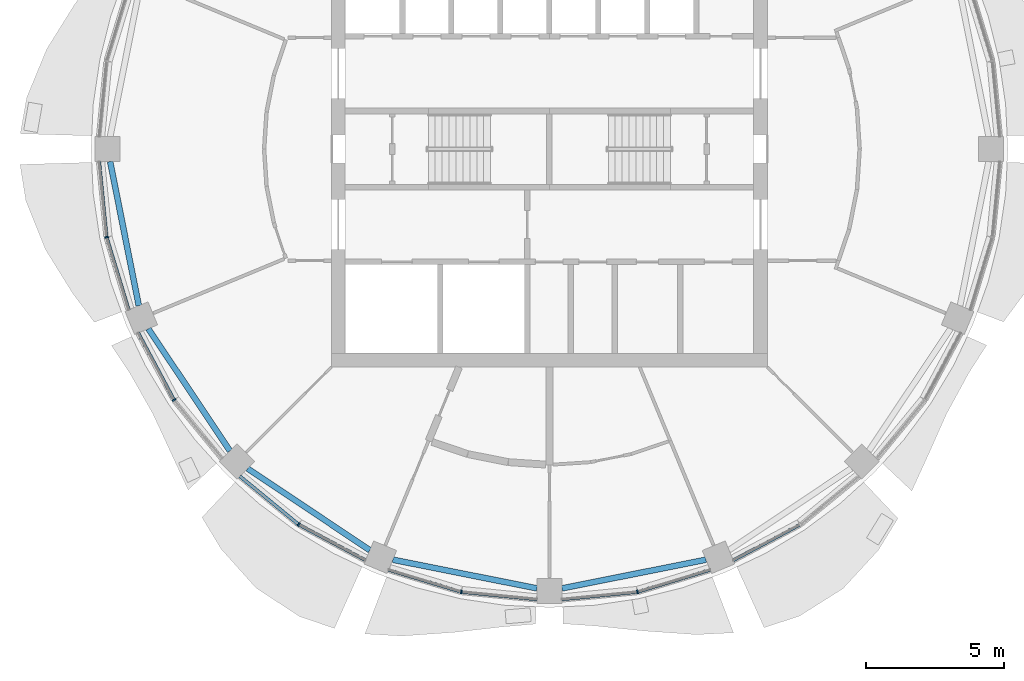
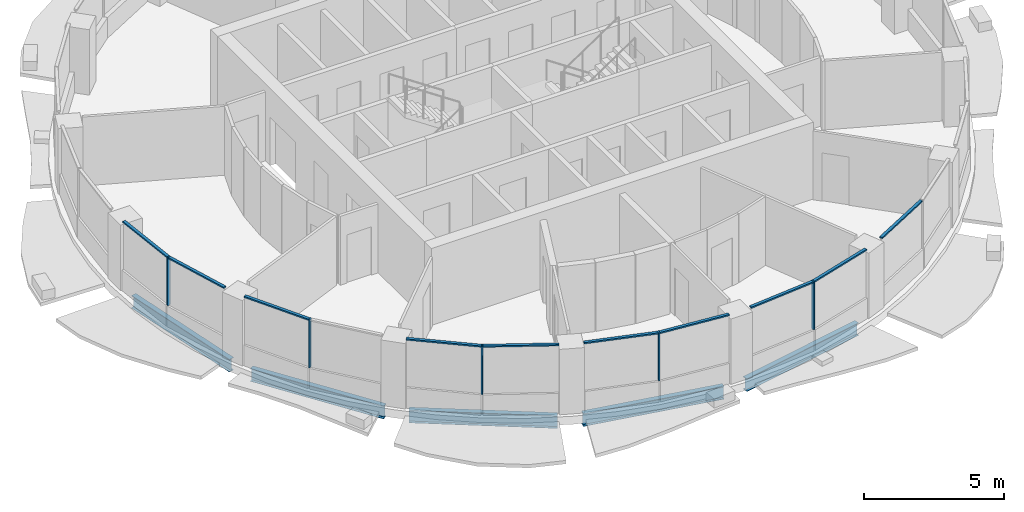
# One storey, part 2 of 15: 15 members, 5 beams, 6 elements without a shape of their own.
"""IFC4 building model written with IfcOpenShell, lengths in metres."""

from ifc_helpers import new_model, si_unit, direction, frame, origin, origin_2d, place, context, subcontext, project, spatial, rectangle, i_section, extrude, material, material_profile, profile_set, type_object, element, aggregate, save


model = new_model("IFC4")

# Units and contexts
model_context = context("Model", 3, precision=1e-05, world=origin(), true_north=direction((0.0, 1.0)))
body_context = subcontext(model_context, "Body", "Model", "MODEL_VIEW")
ifc_project = project(units=[si_unit("LENGTHUNIT", "METRE"), si_unit("AREAUNIT", "SQUARE_METRE"), si_unit("VOLUMEUNIT", "CUBIC_METRE"), si_unit("PLANEANGLEUNIT", "RADIAN"), si_unit("MASSUNIT", "GRAM", prefix="KILO")], contexts=[model_context])

# Site, building, storey
site_placement = place(None, origin())
site = spatial("IfcSite", under=ifc_project, at=site_placement, CompositionType="ELEMENT")
building_placement = place(site_placement, origin())
building = spatial("IfcBuilding", under=site, at=building_placement, Name="Polderwave Tower", CompositionType="ELEMENT")
storey_placement = place(building_placement, frame((0.0, 0.0, 211.10009765625)))
storey = spatial("IfcBuildingStorey", under=building, at=storey_placement, Name="L57", CompositionType="ELEMENT", Elevation=211.10009765625)

# Curtain wall, member
ifc_material_1 = material(Name="Aluminium 6063-T6 and glass", Category="aluminium")
curtain_wall_type = type_object("IfcCurtainWallType", Name="Office ribbon glazing wall", PredefinedType="NOTDEFINED", material=ifc_material_1)
curtain_wall_1_placement = place(storey_placement, origin())
curtain_wall_1 = element("IfcCurtainWall", 1, at=curtain_wall_1_placement, inside=storey, type_object=curtain_wall_type, Name="CW3 L57 08", PredefinedType="NOTDEFINED")
ifc_material_2 = material(Name="Aluminium 6063-T6", Category="aluminium")
ifc_material_profile_1 = material_profile(ifc_material_2, rectangle(XDim=0.139892578125, YDim=0.054931640625, at=origin_2d()), Name="AL 55x140")
ifc_profile_set_1 = profile_set([ifc_material_profile_1], Name="Aluminium 6063-T6")
member_type_1 = type_object("IfcMemberType", Name="Office ribbon glazing mullion 55x140", PredefinedType="MULLION", material=ifc_profile_set_1)
member_1_placement = place(storey_placement, frame((-15.987060546875, -3.179931640625, 0.89990234375), z_axis=(0.0, 0.0, 1.0), x_axis=(0.980756668128, 0.195234110551, 0.0)))
member_1 = element("IfcMember", 2, at=member_1_placement, type_object=member_type_1, Name="CW3 mullion 1", PredefinedType="MULLION", context=body_context, shape_type="SweptSolid", body=[
    extrude(rectangle(XDim=0.139892578125, YDim=0.054931640625, at=origin_2d()), origin(), (0.0, 0.0, 1.0), 2.10009765625),
])

curtain_wall_2_placement = place(storey_placement, origin())
curtain_wall_2 = element("IfcCurtainWall", 3, at=curtain_wall_2_placement, inside=storey, type_object=curtain_wall_type, Name="CW3 L57 09", PredefinedType="NOTDEFINED")
member_2_placement = place(storey_placement, frame((-13.552978515625, -9.055908203125, 0.89990234375), z_axis=(0.0, 0.0, 1.0), x_axis=(0.831455067223, 0.555592000653, 0.0)))
member_2 = element("IfcMember", 4, at=member_2_placement, type_object=member_type_1, Name="CW3 mullion 1", PredefinedType="MULLION", context=body_context, shape_type="SweptSolid", body=[
    extrude(rectangle(XDim=0.139892578125, YDim=0.054931640625, at=origin_2d()), origin(), (0.0, 0.0, 1.0), 2.10009765625),
])

curtain_wall_3_placement = place(storey_placement, origin())
curtain_wall_3 = element("IfcCurtainWall", 5, at=curtain_wall_3_placement, inside=storey, type_object=curtain_wall_type, Name="CW3 L57 10", PredefinedType="NOTDEFINED")
member_3_placement = place(storey_placement, frame((-9.055908203125, -13.552978515625, 0.89990234375), z_axis=(0.0, 0.0, 1.0), x_axis=(0.555592000653, 0.831455067223, 0.0)))
member_3 = element("IfcMember", 6, at=member_3_placement, type_object=member_type_1, Name="CW3 mullion 1", PredefinedType="MULLION", context=body_context, shape_type="SweptSolid", body=[
    extrude(rectangle(XDim=0.139892578125, YDim=0.054931640625, at=origin_2d()), origin(), (0.0, 0.0, 1.0), 2.10009765625),
])

curtain_wall_4_placement = place(storey_placement, origin())
curtain_wall_4 = element("IfcCurtainWall", 7, at=curtain_wall_4_placement, inside=storey, type_object=curtain_wall_type, Name="CW3 L57 11", PredefinedType="NOTDEFINED")
member_4_placement = place(storey_placement, frame((-3.179931640625, -15.987060546875, 0.89990234375), z_axis=(0.0, 0.0, 1.0), x_axis=(0.195234110551, 0.980756668128, 0.0)))
member_4 = element("IfcMember", 8, at=member_4_placement, type_object=member_type_1, Name="CW3 mullion 1", PredefinedType="MULLION", context=body_context, shape_type="SweptSolid", body=[
    extrude(rectangle(XDim=0.139892578125, YDim=0.054931640625, at=origin_2d()), origin(), (0.0, 0.0, 1.0), 2.10009765625),
])

curtain_wall_5_placement = place(storey_placement, origin())
curtain_wall_5 = element("IfcCurtainWall", 9, at=curtain_wall_5_placement, inside=storey, type_object=curtain_wall_type, Name="CW3 L57 12", PredefinedType="NOTDEFINED")
member_5_placement = place(storey_placement, frame((3.179931640625, -15.987060546875, 0.89990234375), z_axis=(0.0, 0.0, 1.0), x_axis=(-0.195234110551, 0.980756668128, 0.0)))
member_5 = element("IfcMember", 10, at=member_5_placement, type_object=member_type_1, Name="CW3 mullion 1", PredefinedType="MULLION", context=body_context, shape_type="SweptSolid", body=[
    extrude(rectangle(XDim=0.139892578125, YDim=0.054931640625, at=origin_2d()), origin(), (0.0, 0.0, 1.0), 2.10009765625),
])

# Member
ifc_material_profile_2 = material_profile(ifc_material_2, rectangle(XDim=0.1201171875, YDim=0.06005859375, at=origin_2d()), Name="AL 60x120")
ifc_profile_set_2 = profile_set([ifc_material_profile_2], Name="Aluminium 6063-T6")
member_type_2 = type_object("IfcMemberType", Name="Office ribbon glazing transom 60x120", PredefinedType="USERDEFINED", material=ifc_profile_set_2)
member_6_placement = place(storey_placement, frame((-16.256103515625, -0.449951171875, 2.969970703125), z_axis=(0.09807947932, -0.995178584846, 0.0), x_axis=(0.995178584846, 0.09807947932, 0.0)))
member_6 = element("IfcMember", 11, at=member_6_placement, type_object=member_type_2, Name="CW3 transom 1", ObjectType="TRANSOM", PredefinedType="USERDEFINED", context=body_context, shape_type="SweptSolid", body=[
    extrude(rectangle(XDim=0.1201171875, YDim=0.06005859375, at=origin_2d()), origin(), (0.0, 0.0, 1.0), 2.7158203125),
])

member_7_placement = place(storey_placement, frame((-15.97900390625, -3.206298828125, 2.969970703125), z_axis=(0.290546276121, -0.956860941533, 0.0), x_axis=(0.956860941533, 0.290546276121, 0.0)))
member_7 = element("IfcMember", 12, at=member_7_placement, type_object=member_type_2, Name="CW3 transom 2", ObjectType="TRANSOM", PredefinedType="USERDEFINED", context=body_context, shape_type="SweptSolid", body=[
    extrude(rectangle(XDim=0.1201171875, YDim=0.06005859375, at=origin_2d()), origin(), (0.0, 0.0, 1.0), 2.7158203125),
])

aggregate(curtain_wall_1, [member_1, member_6, member_7])

member_8_placement = place(storey_placement, frame((-14.845947265625, -6.636962890625, 2.969970703125), z_axis=(0.471395356924, -0.88192200192, 0.0), x_axis=(0.88192200192, 0.471395356924, 0.0)))
member_8 = element("IfcMember", 13, at=member_8_placement, type_object=member_type_2, Name="CW3 transom 1", ObjectType="TRANSOM", PredefinedType="USERDEFINED", context=body_context, shape_type="SweptSolid", body=[
    extrude(rectangle(XDim=0.1201171875, YDim=0.06005859375, at=origin_2d()), origin(), (0.0, 0.0, 1.0), 2.71533203125),
])

aggregate(curtain_wall_2, [member_2, member_8])

member_9_placement = place(storey_placement, frame((-11.176025390625, -11.81298828125, 2.969970703125), z_axis=(0.772946726022, -0.634470928201, 0.0), x_axis=(0.634470928201, 0.772946726022, 0.0)))
member_9 = element("IfcMember", 14, at=member_9_placement, type_object=member_type_2, Name="CW3 transom 1", ObjectType="TRANSOM", PredefinedType="USERDEFINED", context=body_context, shape_type="SweptSolid", body=[
    extrude(rectangle(XDim=0.1201171875, YDim=0.06005859375, at=origin_2d()), origin(), (0.0, 0.0, 1.0), 2.715087890625),
])

member_10_placement = place(storey_placement, frame((-9.03173828125, -13.56591796875, 2.969970703125), z_axis=(0.88192200192, -0.471395356924, 0.0), x_axis=(0.471395356924, 0.88192200192, 0.0)))
member_10 = element("IfcMember", 15, at=member_10_placement, type_object=member_type_2, Name="CW3 transom 2", ObjectType="TRANSOM", PredefinedType="USERDEFINED", context=body_context, shape_type="SweptSolid", body=[
    extrude(rectangle(XDim=0.1201171875, YDim=0.06005859375, at=origin_2d()), origin(), (0.0, 0.0, 1.0), 2.71533203125),
])

aggregate(curtain_wall_3, [member_3, member_9, member_10])

member_11_placement = place(storey_placement, frame((-5.804931640625, -15.18994140625, 2.969970703125), z_axis=(0.956860941533, -0.290546276121, 0.0), x_axis=(0.290546276121, 0.956860941533, 0.0)))
member_11 = element("IfcMember", 16, at=member_11_placement, type_object=member_type_2, Name="CW3 transom 1", ObjectType="TRANSOM", PredefinedType="USERDEFINED", context=body_context, shape_type="SweptSolid", body=[
    extrude(rectangle(XDim=0.1201171875, YDim=0.06005859375, at=origin_2d()), origin(), (0.0, 0.0, 1.0), 2.7158203125),
])

member_12_placement = place(storey_placement, frame((-3.152587890625, -15.98974609375, 2.969970703125), z_axis=(0.995178584846, -0.09807947932, 0.0), x_axis=(0.09807947932, 0.995178584846, 0.0)))
member_12 = element("IfcMember", 17, at=member_12_placement, type_object=member_type_2, Name="CW3 transom 2", ObjectType="TRANSOM", PredefinedType="USERDEFINED", context=body_context, shape_type="SweptSolid", body=[
    extrude(rectangle(XDim=0.1201171875, YDim=0.06005859375, at=origin_2d()), origin(), (0.0, 0.0, 1.0), 2.7158203125),
])

aggregate(curtain_wall_4, [member_4, member_11, member_12])

member_13_placement = place(storey_placement, frame((0.449951171875, -16.256103515625, 2.969970703125), z_axis=(0.995178584846, 0.09807947932, 0.0), x_axis=(-0.09807947932, 0.995178584846, 0.0)))
member_13 = element("IfcMember", 18, at=member_13_placement, type_object=member_type_2, Name="CW3 transom 1", ObjectType="TRANSOM", PredefinedType="USERDEFINED", context=body_context, shape_type="SweptSolid", body=[
    extrude(rectangle(XDim=0.1201171875, YDim=0.06005859375, at=origin_2d()), origin(), (0.0, 0.0, 1.0), 2.7158203125),
])

member_14_placement = place(storey_placement, frame((3.206298828125, -15.97900390625, 2.969970703125), z_axis=(0.956860941533, 0.290546276121, 0.0), x_axis=(-0.290546276121, 0.956860941533, 0.0)))
member_14 = element("IfcMember", 19, at=member_14_placement, type_object=member_type_2, Name="CW3 transom 2", ObjectType="TRANSOM", PredefinedType="USERDEFINED", context=body_context, shape_type="SweptSolid", body=[
    extrude(rectangle(XDim=0.1201171875, YDim=0.06005859375, at=origin_2d()), origin(), (0.0, 0.0, 1.0), 2.7158203125),
])

aggregate(curtain_wall_5, [member_5, member_13, member_14])

# Curtain wall, member
curtain_wall_6_placement = place(storey_placement, origin())
curtain_wall_6 = element("IfcCurtainWall", 20, at=curtain_wall_6_placement, inside=storey, type_object=curtain_wall_type, Name="CW3 L57 13", PredefinedType="NOTDEFINED")
member_15_placement = place(storey_placement, frame((6.636962890625, -14.845947265625, 2.969970703125), z_axis=(0.88192200192, 0.471395356924, 0.0), x_axis=(-0.471395356924, 0.88192200192, 0.0)))
member_15 = element("IfcMember", 21, at=member_15_placement, type_object=member_type_2, Name="CW3 transom 1", ObjectType="TRANSOM", PredefinedType="USERDEFINED", context=body_context, shape_type="SweptSolid", body=[
    extrude(rectangle(XDim=0.1201171875, YDim=0.06005859375, at=origin_2d()), origin(), (0.0, 0.0, 1.0), 2.71533203125),
])
aggregate(curtain_wall_6, [member_15])

# Beams
ifc_material_3 = material(Name="Steel S355", Category="steel")
ifc_material_profile_3 = material_profile(ifc_material_3, i_section(OverallWidth=0.2099609375, OverallDepth=0.550048828125, WebThickness=0.010986328125, FlangeThickness=0.01708984375, at=origin_2d()), Name="IPE 550")
ifc_profile_set_3 = profile_set([ifc_material_profile_3], Name="Steel S355")
beam_type = type_object("IfcBeamType", Name="RING BEAM IPE 550", PredefinedType="BEAM", material=ifc_profile_set_3)
for number, where, z_axis, x_axis, name in (
    (22, (-15.860595703125, -0.449951171875, -0.625), (0.195098417144, -0.980783670147, 0.0), (0.980783670147, 0.195098417144, 0.0), "ST-RB-L57-08"),
    (23, (-14.48095703125, -6.4853515625, -0.625), (0.555570615162, -0.831469356963, 0.0), (0.831469356963, 0.555570615162, 0.0), "ST-RB-L57-09"),
    (24, (-10.89697265625, -11.533203125, -0.625), (0.831469356963, -0.555570615162, 0.0), (0.555570615162, 0.831469356963, 0.0), "ST-RB-L57-10"),
    (25, (-5.65380859375, -14.825439453125, -0.625), (0.980783670147, -0.195098417144, 0.0), (0.195098417144, 0.980783670147, 0.0), "ST-RB-L57-11"),
    (26, (0.449951171875, -15.860595703125, -0.625), (0.980783670147, 0.195098417144, 0.0), (-0.195098417144, 0.980783670147, 0.0), "ST-RB-L57-12"),
):
    element("IfcBeam", number, at=place(storey_placement, frame(where, z_axis=z_axis, x_axis=x_axis)), inside=storey, type_object=beam_type, Name=name, PredefinedType="BEAM", context=body_context, shape_type="SweptSolid", body=[
        extrude(i_section(OverallWidth=0.2099609375, OverallDepth=0.550048828125, WebThickness=0.010986328125, FlangeThickness=0.01708984375, at=origin_2d()), origin(), (0.0, 0.0, 1.0), 5.305908203125),
    ])

save(model, "model.ifc")
